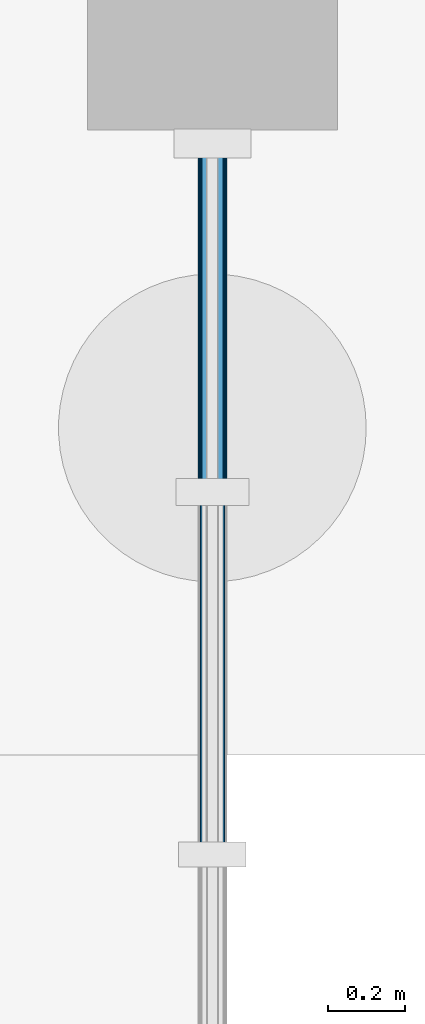
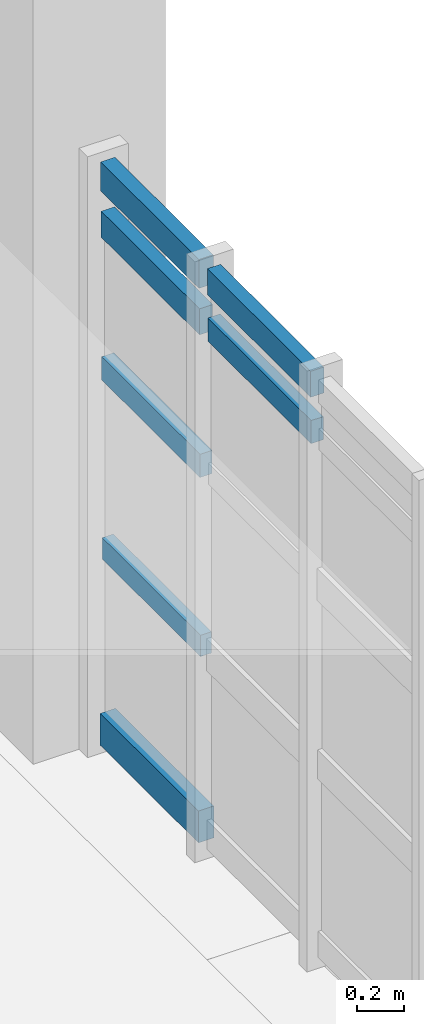
# One storey, part 77 of 125: 7 members, 1 element without a shape of its own.
"""IFC4 building model written with IfcOpenShell, lengths in metres."""

from ifc_helpers import new_model, si_unit, direction, frame, origin, origin_2d, place, context, subcontext, project, spatial, rectangle, extrude, material, material_profile, profile_set, type_object, element, aggregate, save


model = new_model("IFC4")

# Units and contexts
model_context = context("Model", 3, precision=1e-05, world=origin(), true_north=direction((0.0, 1.0)))
body_context = subcontext(model_context, "Body", "Model", "MODEL_VIEW")
ifc_project = project(units=[si_unit("LENGTHUNIT", "METRE"), si_unit("AREAUNIT", "SQUARE_METRE"), si_unit("VOLUMEUNIT", "CUBIC_METRE"), si_unit("PLANEANGLEUNIT", "RADIAN"), si_unit("MASSUNIT", "GRAM", prefix="KILO")], contexts=[model_context])

# Site, building, storey
site_placement = place(None, origin())
site = spatial("IfcSite", under=ifc_project, at=site_placement, CompositionType="ELEMENT")
building_placement = place(site_placement, origin())
building = spatial("IfcBuilding", under=site, at=building_placement, Name="Serraforn Aerial Cableway Station", CompositionType="ELEMENT")
storey_placement = place(building_placement, frame((0.0, 0.0, 4.5)))
storey = spatial("IfcBuildingStorey", under=building, at=storey_placement, Name="L01", CompositionType="ELEMENT", Elevation=4.5)

# Curtain wall, members
ifc_material_1 = material(Name="Anodised bronze unitised curtain wall")
curtain_wall_type = type_object("IfcCurtainWallType", Name="CW-SYS-22", PredefinedType="USERDEFINED", material=ifc_material_1)
curtain_wall_placement = place(storey_placement, origin())
curtain_wall = element("IfcCurtainWall", 1, at=curtain_wall_placement, inside=storey, type_object=curtain_wall_type, Name="Unitised Curtain Wall CW-EG-L01-E7B", ObjectType="UNITISED CURTAIN WALL", PredefinedType="USERDEFINED")
ifc_material_2 = material(Name="Anodised bronze extruded aluminium", Category="aluminium")
ifc_material_profile_1 = material_profile(ifc_material_2, rectangle(XDim=0.054931640625, YDim=0.110107421875, at=origin_2d()), Name="CW TRANSOM 55x110")
ifc_profile_set_1 = profile_set([ifc_material_profile_1], Name="Anodised bronze extruded aluminium")
member_type_1 = type_object("IfcMemberType", Name="CW-TRN-1", PredefinedType="USERDEFINED", material=ifc_profile_set_1)
member_1_placement = place(storey_placement, frame((168.0, 104.217041015625, 1.060791015625), z_axis=(0.0, 1.0, 0.0), x_axis=(-1.0, 0.0, 0.0)))
member_1 = element("IfcMember", 2, at=member_1_placement, type_object=member_type_1, Name="Curtain Wall Transom CW-EG-L01-E7B-T4-2", ObjectType="TRANSOM", PredefinedType="USERDEFINED", context=body_context, shape_type="SweptSolid", body=[
    extrude(rectangle(XDim=0.054931640625, YDim=0.110107421875, at=origin_2d()), origin(), (0.0, 0.0, 1.0), 0.8369140625),
])
ifc_material_profile_2 = material_profile(ifc_material_2, rectangle(XDim=0.06005859375, YDim=0.1201171875, at=origin_2d()), Name="CW TRANSOM 60x120")
ifc_profile_set_2 = profile_set([ifc_material_profile_2], Name="Anodised bronze extruded aluminium")
member_type_2 = type_object("IfcMemberType", Name="CW-TRN-2", PredefinedType="USERDEFINED", material=ifc_profile_set_2)
member_2_placement = place(storey_placement, frame((168.0, 103.271484375, 2.74560546875), z_axis=(0.0, 1.0, 0.0), x_axis=(-1.0, 0.0, 0.0)))
member_2 = element("IfcMember", 3, at=member_2_placement, type_object=member_type_2, Name="Curtain Wall Transom CW-EG-L01-E7B-T3-4", ObjectType="TRANSOM", PredefinedType="USERDEFINED", context=body_context, shape_type="SweptSolid", body=[
    extrude(rectangle(XDim=0.06005859375, YDim=0.1201171875, at=origin_2d()), origin(), (0.0, 0.0, 1.0), 0.87939453125),
])
member_3_placement = place(storey_placement, frame((168.0, 104.217041015625, 1.996826171875), z_axis=(0.0, 1.0, 0.0), x_axis=(-1.0, 0.0, 0.0)))
member_3 = element("IfcMember", 4, at=member_3_placement, type_object=member_type_2, Name="Curtain Wall Transom CW-EG-L01-E7B-T4-3", ObjectType="TRANSOM", PredefinedType="USERDEFINED", context=body_context, shape_type="SweptSolid", body=[
    extrude(rectangle(XDim=0.06005859375, YDim=0.1201171875, at=origin_2d()), origin(), (0.0, 0.0, 1.0), 0.8369140625),
])
ifc_material_profile_3 = material_profile(ifc_material_2, rectangle(XDim=0.06494140625, YDim=0.135009765625, at=origin_2d()), Name="CW TRANSOM 65x135")
ifc_profile_set_3 = profile_set([ifc_material_profile_3], Name="Anodised bronze extruded aluminium")
member_type_3 = type_object("IfcMemberType", Name="CW-TRN-3", PredefinedType="USERDEFINED", material=ifc_profile_set_3)
member_4_placement = place(storey_placement, frame((168.0, 103.271484375, 2.9951171875), z_axis=(0.0, 1.0, 0.0), x_axis=(-1.0, 0.0, 0.0)))
member_4 = element("IfcMember", 5, at=member_4_placement, type_object=member_type_3, Name="Curtain Wall Transom CW-EG-L01-E7B-T3-5", ObjectType="TRANSOM", PredefinedType="USERDEFINED", context=body_context, shape_type="SweptSolid", body=[
    extrude(rectangle(XDim=0.06494140625, YDim=0.135009765625, at=origin_2d()), origin(), (0.0, 0.0, 1.0), 0.87939453125),
])
member_5_placement = place(storey_placement, frame((168.0, 104.217041015625, 2.74560546875), z_axis=(0.0, 1.0, 0.0), x_axis=(-1.0, 0.0, 0.0)))
member_5 = element("IfcMember", 6, at=member_5_placement, type_object=member_type_3, Name="Curtain Wall Transom CW-EG-L01-E7B-T4-4", ObjectType="TRANSOM", PredefinedType="USERDEFINED", context=body_context, shape_type="SweptSolid", body=[
    extrude(rectangle(XDim=0.06494140625, YDim=0.135009765625, at=origin_2d()), origin(), (0.0, 0.0, 1.0), 0.8369140625),
])
ifc_material_profile_4 = material_profile(ifc_material_2, rectangle(XDim=0.070068359375, YDim=0.14990234375, at=origin_2d()), Name="CW TRANSOM 70x150")
ifc_profile_set_4 = profile_set([ifc_material_profile_4], Name="Anodised bronze extruded aluminium")
member_type_4 = type_object("IfcMemberType", Name="CW-TRN-4", PredefinedType="USERDEFINED", material=ifc_profile_set_4)
member_6_placement = place(storey_placement, frame((168.0, 104.217041015625, 2.9951171875), z_axis=(0.0, 1.0, 0.0), x_axis=(-1.0, 0.0, 0.0)))
member_6 = element("IfcMember", 7, at=member_6_placement, type_object=member_type_4, Name="Curtain Wall Transom CW-EG-L01-E7B-T4-5", ObjectType="TRANSOM", PredefinedType="USERDEFINED", context=body_context, shape_type="SweptSolid", body=[
    extrude(rectangle(XDim=0.070068359375, YDim=0.14990234375, at=origin_2d()), origin(), (0.0, 0.0, 1.0), 0.8369140625),
])
ifc_material_profile_5 = material_profile(ifc_material_2, rectangle(XDim=0.074951171875, YDim=0.1650390625, at=origin_2d()), Name="CW TRANSOM 75x165")
ifc_profile_set_5 = profile_set([ifc_material_profile_5], Name="Anodised bronze extruded aluminium")
member_type_5 = type_object("IfcMemberType", Name="CW-TRN-5", PredefinedType="USERDEFINED", material=ifc_profile_set_5)
member_7_placement = place(storey_placement, frame((168.0, 104.217041015625, 0.124755859375), z_axis=(0.0, 1.0, 0.0), x_axis=(-1.0, 0.0, 0.0)))
member_7 = element("IfcMember", 8, at=member_7_placement, type_object=member_type_5, Name="Curtain Wall Transom CW-EG-L01-E7B-T4-1", ObjectType="TRANSOM", PredefinedType="USERDEFINED", context=body_context, shape_type="SweptSolid", body=[
    extrude(rectangle(XDim=0.074951171875, YDim=0.1650390625, at=origin_2d()), origin(), (0.0, 0.0, 1.0), 0.8369140625),
])
aggregate(curtain_wall, [member_2, member_4, member_7, member_1, member_3, member_5, member_6])

save(model, "model.ifc")
